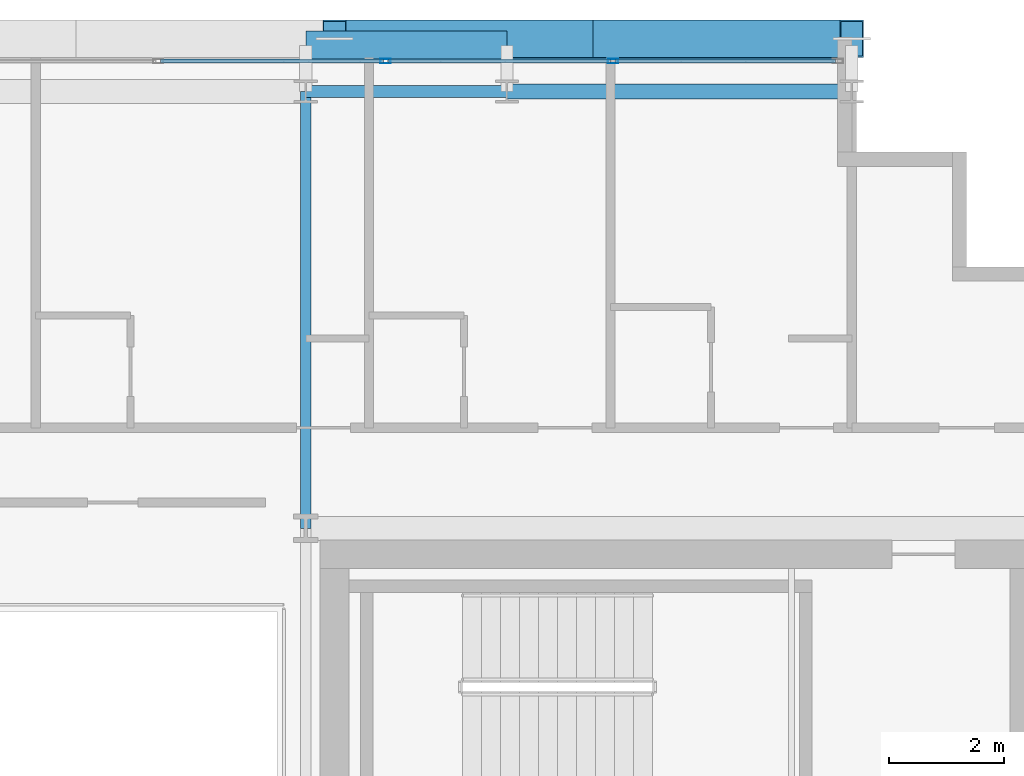
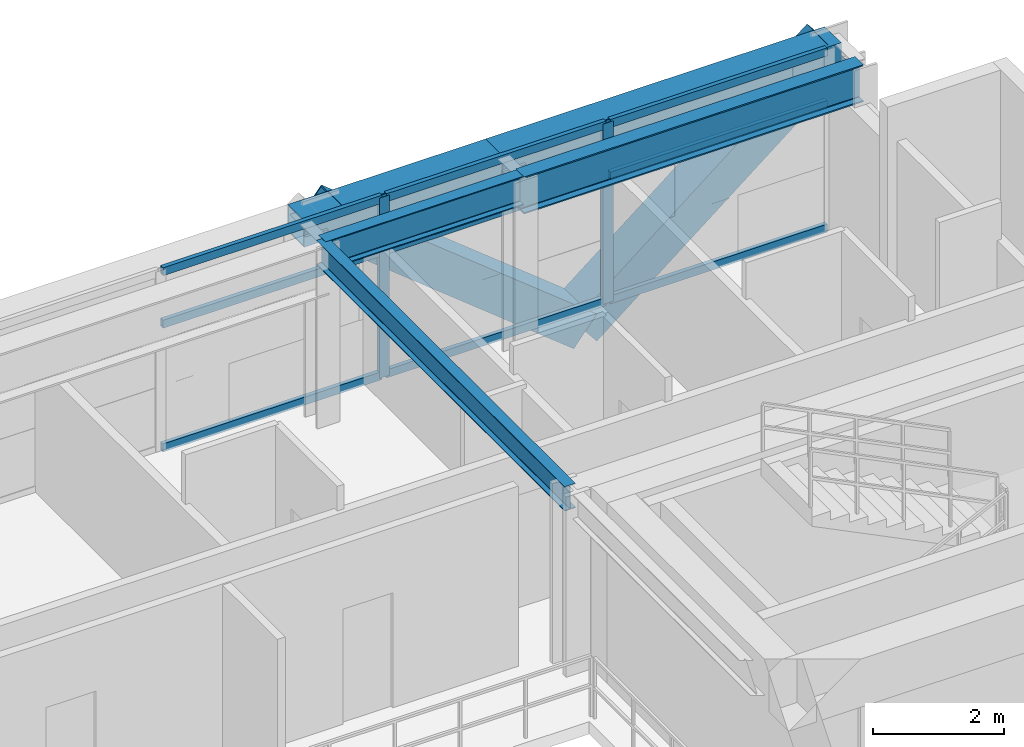
# One storey, part 18 of 32: 13 members, 5 beams, 1 element without a shape of its own.
"""IFC4 building model written with IfcOpenShell, lengths in metres."""

from ifc_helpers import new_model, si_unit, direction, frame, origin, origin_2d, place, context, subcontext, project, spatial, hollow_rectangle, i_section, extrude, source, transform, mapped, material, layer, layer_set, material_profile, profile_set, type_object, element, aggregate, save


model = new_model("IFC4")

# Units and contexts
model_context = context("Model", 3, precision=1e-05, world=origin(), true_north=direction((0.0, 1.0)))
body_context = subcontext(model_context, "Body", "Model", "MODEL_VIEW")
ifc_project = project(units=[si_unit("LENGTHUNIT", "METRE"), si_unit("AREAUNIT", "SQUARE_METRE"), si_unit("VOLUMEUNIT", "CUBIC_METRE"), si_unit("PLANEANGLEUNIT", "RADIAN"), si_unit("MASSUNIT", "GRAM", prefix="KILO")], contexts=[model_context])

# Site, building, storey
site_placement = place(None, origin())
site = spatial("IfcSite", under=ifc_project, at=site_placement, CompositionType="ELEMENT")
building_placement = place(site_placement, origin())
building = spatial("IfcBuilding", under=site, at=building_placement, Name="Ocotamira Hotel", CompositionType="ELEMENT")
storey_placement = place(building_placement, frame((0.0, 0.0, 184.800048828125)))
storey = spatial("IfcBuildingStorey", under=building, at=storey_placement, Name="L46", CompositionType="ELEMENT", Elevation=184.800048828125)

# Beams
ifc_material_1 = material(Name="Steel ASTM A992 Grade 50", Category="steel")
ifc_material_profile_1 = material_profile(ifc_material_1, i_section(OverallWidth=0.256103515625, OverallDepth=0.693115234375, WebThickness=0.014404296875, FlangeThickness=0.023681640625, FilletRadius=0.01611328125, at=origin_2d()), Name="W27X114")
ifc_profile_set_1 = profile_set([ifc_material_profile_1], Name="Steel ASTM A992 Grade 50")
beam_type_1 = type_object("IfcBeamType", Name="BM-PRIM-W27X114", PredefinedType="BEAM", material=ifc_profile_set_1)
shared_shape_1 = source(origin(), body_context, "Body", "SweptSolid", [
    extrude(i_section(OverallWidth=0.256103515625, OverallDepth=0.693115234375, WebThickness=0.014404296875, FlangeThickness=0.023681640625, FilletRadius=0.01611328125, at=origin_2d()), origin(), (0.0, 0.0, 1.0), 6.0),
])
beam_1_placement = place(storey_placement, frame((44.0, 45.050048828125, 3.0234375), z_axis=(1.0, 0.0, 0.0), x_axis=(0.0, 1.0, 0.0)))
element("IfcBeam", 1, at=beam_1_placement, inside=storey, type_object=beam_type_1, Name="L46 Girder Y45.05 X44-50", PredefinedType="BEAM", context=body_context, shape_type="MappedRepresentation", body=[
    mapped(shared_shape_1, transform((0.0, 0.0, 0.0), scale=1.0)),
])
ifc_material_profile_2 = material_profile(ifc_material_1, i_section(OverallWidth=0.2099609375, OverallDepth=0.537109375, WebThickness=0.010986328125, FlangeThickness=0.017333984375, FilletRadius=0.012939453125, at=origin_2d()), Name="W21X68")
ifc_profile_set_2 = profile_set([ifc_material_profile_2], Name="Steel ASTM A992 Grade 50")
beam_type_2 = type_object("IfcBeamType", Name="BM-SEC-W21X68", PredefinedType="JOIST", material=ifc_profile_set_2)
shared_shape_2 = source(origin(), body_context, "Body", "SweptSolid", [
    extrude(i_section(OverallWidth=0.2099609375, OverallDepth=0.537109375, WebThickness=0.010986328125, FlangeThickness=0.017333984375, FilletRadius=0.012939453125, at=origin_2d()), origin(), (0.0, 0.0, 1.0), 3.5),
])
beam_2_placement = place(storey_placement, frame((40.5, 45.050048828125, 3.1015625), z_axis=(1.0, 0.0, 0.0), x_axis=(0.0, 1.0, 0.0)))
element("IfcBeam", 2, at=beam_2_placement, inside=storey, type_object=beam_type_2, Name="L46 Girder Y45.05 X40.5-44", PredefinedType="JOIST", context=body_context, shape_type="MappedRepresentation", body=[
    mapped(shared_shape_2, transform((0.0, 0.0, 0.0), scale=1.0)),
])
ifc_material_2 = material(Name="Steel ASTM A500 Grade C", Category="steel")
ifc_material_profile_3 = material_profile(ifc_material_2, hollow_rectangle(XDim=0.5, YDim=0.5, WallThickness=0.02001953125, at=origin_2d()), Name="HSS500X500X20")
ifc_profile_set_3 = profile_set([ifc_material_profile_3], Name="Steel ASTM A500 Grade C")
beam_type_3 = type_object("IfcBeamType", Name="BM-SPAN-HSS500", PredefinedType="USERDEFINED", material=ifc_profile_set_3)
shared_shape_3 = source(origin(), body_context, "Body", "SweptSolid", [
    extrude(hollow_rectangle(XDim=0.5, YDim=0.5, WallThickness=0.02001953125, at=origin_2d()), origin(), (0.0, 0.0, 1.0), 6.0),
])
beam_3_placement = place(storey_placement, frame((44.0, 45.85009765625, 3.119873046875), z_axis=(1.0, 0.0, 0.0), x_axis=(0.0, 1.0, 0.0)))
element("IfcBeam", 3, at=beam_3_placement, inside=storey, type_object=beam_type_3, Name="L46 Edge Spandrel N X44-50", ObjectType="SPANDREL", PredefinedType="USERDEFINED", context=body_context, shape_type="MappedRepresentation", body=[
    mapped(shared_shape_3, transform((0.0, 0.0, 0.0), scale=1.0)),
])
shared_shape_4 = source(origin(), body_context, "Body", "SweptSolid", [
    extrude(hollow_rectangle(XDim=0.5, YDim=0.5, WallThickness=0.02001953125, at=origin_2d()), origin(), (0.0, 0.0, 1.0), 3.5),
])
beam_4_placement = place(storey_placement, frame((40.5, 45.85009765625, 3.119873046875), z_axis=(1.0, 0.0, 0.0), x_axis=(0.0, 1.0, 0.0)))
element("IfcBeam", 4, at=beam_4_placement, inside=storey, type_object=beam_type_3, Name="L46 Edge Spandrel N X40.5-44", ObjectType="SPANDREL", PredefinedType="USERDEFINED", context=body_context, shape_type="MappedRepresentation", body=[
    mapped(shared_shape_4, transform((0.0, 0.0, 0.0), scale=1.0)),
])
ifc_material_profile_4 = material_profile(ifc_material_1, i_section(OverallWidth=0.18994140625, OverallDepth=0.45703125, WebThickness=0.009033203125, FlangeThickness=0.014404296875, FilletRadius=0.010009765625, at=origin_2d()), Name="W18X50")
ifc_profile_set_4 = profile_set([ifc_material_profile_4], Name="Steel ASTM A992 Grade 50")
beam_type_4 = type_object("IfcBeamType", Name="BM-SEC-W18X50", PredefinedType="JOIST", material=ifc_profile_set_4)
shared_shape_5 = source(origin(), body_context, "Body", "SweptSolid", [
    extrude(i_section(OverallWidth=0.18994140625, OverallDepth=0.45703125, WebThickness=0.009033203125, FlangeThickness=0.014404296875, FilletRadius=0.010009765625, at=origin_2d()), origin(), (0.0, 0.0, 1.0), 7.60009765625),
])
beam_5_placement = place(storey_placement, frame((40.5, 37.449951171875, 3.141357421875), z_axis=(0.0, 1.0, 0.0), x_axis=(-1.0, 0.0, 0.0)))
element("IfcBeam", 5, at=beam_5_placement, inside=storey, type_object=beam_type_4, Name="L46 Beam X40.5 Y37.45-45.05", PredefinedType="JOIST", context=body_context, shape_type="MappedRepresentation", body=[
    mapped(shared_shape_5, transform((0.0, 0.0, 0.0), scale=1.0)),
])

# Members
ifc_material_3 = material(Name="Pale-metal coated steel ASTM A913 Grade 65", Category="steel")
ifc_material_profile_5 = material_profile(ifc_material_3, hollow_rectangle(XDim=0.64990234375, YDim=0.64990234375, WallThickness=0.02197265625, at=origin_2d()), Name="BOX650X650X22")
ifc_profile_set_5 = profile_set([ifc_material_profile_5], Name="Pale-metal coated steel ASTM A913 Grade 65")
member_type_1 = type_object("IfcMemberType", Name="MEM-EXO-BOX650", PredefinedType="BRACE", material=ifc_profile_set_5)
shared_shape_6 = source(origin(), body_context, "Body", "SweptSolid", [
    extrude(hollow_rectangle(XDim=0.64990234375, YDim=0.64990234375, WallThickness=0.02197265625, at=origin_2d()), origin(), (0.0, 0.0, 1.0), 5.7626953125),
])
for number, where, z_axis, x_axis, name in (
    (6, (45.5, 45.969970703125, -0.47998046875), (-0.780881208953, 0.0, 0.624679547852), (0.0, -1.0, 0.0), "L46 Exoskeleton Diagrid N3.1"),
    (7, (45.5, 45.969970703125, -0.47998046875), (0.780881208953, 0.0, 0.624679547852), (0.0, 1.0, 0.0), "L46 Exoskeleton Diagrid N3.2"),
):
    element("IfcMember", number, at=place(storey_placement, frame(where, z_axis=z_axis, x_axis=x_axis)), inside=storey, type_object=member_type_1, Name=name, PredefinedType="BRACE", context=body_context, shape_type="MappedRepresentation", body=[
        mapped(shared_shape_6, transform((0.0, 0.0, 0.0), scale=1.0)),
    ])

# Curtain wall, members
ifc_material_4 = material(Name="Anodised pale-metal aluminium and solar glass", Category="aluminium")
ifc_layer = layer(ifc_material_4, 0.199951171875)
ifc_layer_set = layer_set([ifc_layer], Name="Anodised pale-metal aluminium and solar glass")
curtain_wall_type = type_object("IfcCurtainWallType", Name="CW-SYS4-Z3", PredefinedType="NOTDEFINED", material=ifc_layer_set)
curtain_wall_placement = place(storey_placement, origin())
curtain_wall = element("IfcCurtainWall", 8, at=curtain_wall_placement, inside=storey, type_object=curtain_wall_type, Name="L46 Curtain Wall CW-4 CW-L46-N", PredefinedType="NOTDEFINED")
ifc_material_5 = material(Name="Anodised pale-metal aluminium 6063-T6", Category="aluminium")
ifc_material_profile_6 = material_profile(ifc_material_5, hollow_rectangle(XDim=0.074951171875, YDim=0.14990234375, WallThickness=0.006103515625, at=origin_2d()), Name="HSS150X75X6")
ifc_profile_set_6 = profile_set([ifc_material_profile_6], Name="Anodised pale-metal aluminium 6063-T6")
member_type_2 = type_object("IfcMemberType", Name="CWT-150X75", PredefinedType="USERDEFINED", material=ifc_profile_set_6)
shared_shape_7 = source(origin(), body_context, "Body", "SweptSolid", [
    extrude(hollow_rectangle(XDim=0.074951171875, YDim=0.14990234375, WallThickness=0.006103515625, at=origin_2d()), origin(), (0.0, 0.0, 1.0), 3.83544921875),
])
member_1_placement = place(storey_placement, frame((45.884521484375, 45.580078125, 0.037353515625), z_axis=(1.0, 0.0, 0.0), x_axis=(0.0, 1.0, 0.0)))
member_1 = element("IfcMember", 9, at=member_1_placement, type_object=member_type_2, Name="CW-4 transom 9.1", ObjectType="TRANSOM", PredefinedType="USERDEFINED", context=body_context, shape_type="MappedRepresentation", body=[
    mapped(shared_shape_7, transform((0.0, 0.0, 0.0), scale=1.0)),
])
member_2_placement = place(storey_placement, frame((45.884521484375, 45.580078125, 2.349853515625), z_axis=(1.0, 0.0, 0.0), x_axis=(0.0, 1.0, 0.0)))
member_2 = element("IfcMember", 10, at=member_2_placement, type_object=member_type_2, Name="CW-4 transom 9.2", ObjectType="TRANSOM", PredefinedType="USERDEFINED", context=body_context, shape_type="MappedRepresentation", body=[
    mapped(shared_shape_7, transform((0.0, 0.0, 0.0), scale=1.0)),
])
member_3_placement = place(storey_placement, frame((45.884521484375, 45.580078125, 3.33251953125), z_axis=(1.0, 0.0, 0.0), x_axis=(0.0, 1.0, 0.0)))
member_3 = element("IfcMember", 11, at=member_3_placement, type_object=member_type_2, Name="CW-4 transom 9.3", ObjectType="TRANSOM", PredefinedType="USERDEFINED", context=body_context, shape_type="MappedRepresentation", body=[
    mapped(shared_shape_7, transform((0.0, 0.0, 0.0), scale=1.0)),
])
shared_shape_8 = source(origin(), body_context, "Body", "SweptSolid", [
    extrude(hollow_rectangle(XDim=0.074951171875, YDim=0.14990234375, WallThickness=0.006103515625, at=origin_2d()), origin(), (0.0, 0.0, 1.0), 3.87548828125),
])
member_4_placement = place(storey_placement, frame((37.973388671875, 45.580078125, 0.037353515625), z_axis=(1.0, 0.0, 0.0), x_axis=(0.0, 1.0, 0.0)))
member_4 = element("IfcMember", 12, at=member_4_placement, type_object=member_type_2, Name="CW-4 transom 7.1", ObjectType="TRANSOM", PredefinedType="USERDEFINED", context=body_context, shape_type="MappedRepresentation", body=[
    mapped(shared_shape_8, transform((0.0, 0.0, 0.0), scale=1.0)),
])
member_5_placement = place(storey_placement, frame((37.973388671875, 45.580078125, 2.349853515625), z_axis=(1.0, 0.0, 0.0), x_axis=(0.0, 1.0, 0.0)))
member_5 = element("IfcMember", 13, at=member_5_placement, type_object=member_type_2, Name="CW-4 transom 7.2", ObjectType="TRANSOM", PredefinedType="USERDEFINED", context=body_context, shape_type="MappedRepresentation", body=[
    mapped(shared_shape_8, transform((0.0, 0.0, 0.0), scale=1.0)),
])
member_6_placement = place(storey_placement, frame((37.973388671875, 45.580078125, 3.33251953125), z_axis=(1.0, 0.0, 0.0), x_axis=(0.0, 1.0, 0.0)))
member_6 = element("IfcMember", 14, at=member_6_placement, type_object=member_type_2, Name="CW-4 transom 7.3", ObjectType="TRANSOM", PredefinedType="USERDEFINED", context=body_context, shape_type="MappedRepresentation", body=[
    mapped(shared_shape_8, transform((0.0, 0.0, 0.0), scale=1.0)),
])
member_7_placement = place(storey_placement, frame((41.928955078125, 45.580078125, 0.037353515625), z_axis=(1.0, 0.0, 0.0), x_axis=(0.0, 1.0, 0.0)))
member_7 = element("IfcMember", 15, at=member_7_placement, type_object=member_type_2, Name="CW-4 transom 8.1", ObjectType="TRANSOM", PredefinedType="USERDEFINED", context=body_context, shape_type="MappedRepresentation", body=[
    mapped(shared_shape_8, transform((0.0, 0.0, 0.0), scale=1.0)),
])
member_8_placement = place(storey_placement, frame((41.928955078125, 45.580078125, 2.349853515625), z_axis=(1.0, 0.0, 0.0), x_axis=(0.0, 1.0, 0.0)))
member_8 = element("IfcMember", 16, at=member_8_placement, type_object=member_type_2, Name="CW-4 transom 8.2", ObjectType="TRANSOM", PredefinedType="USERDEFINED", context=body_context, shape_type="MappedRepresentation", body=[
    mapped(shared_shape_8, transform((0.0, 0.0, 0.0), scale=1.0)),
])
member_9_placement = place(storey_placement, frame((41.928955078125, 45.580078125, 3.33251953125), z_axis=(1.0, 0.0, 0.0), x_axis=(0.0, 1.0, 0.0)))
member_9 = element("IfcMember", 17, at=member_9_placement, type_object=member_type_2, Name="CW-4 transom 8.3", ObjectType="TRANSOM", PredefinedType="USERDEFINED", context=body_context, shape_type="MappedRepresentation", body=[
    mapped(shared_shape_8, transform((0.0, 0.0, 0.0), scale=1.0)),
])
ifc_material_profile_7 = material_profile(ifc_material_5, hollow_rectangle(XDim=0.080078125, YDim=0.179931640625, WallThickness=0.006103515625, at=origin_2d()), Name="HSS180X80X6")
ifc_profile_set_7 = profile_set([ifc_material_profile_7], Name="Anodised pale-metal aluminium 6063-T6")
member_type_3 = type_object("IfcMemberType", Name="CWM-180X75", PredefinedType="MULLION", material=ifc_profile_set_7)
shared_shape_9 = source(origin(), body_context, "Body", "SweptSolid", [
    extrude(hollow_rectangle(XDim=0.080078125, YDim=0.179931640625, WallThickness=0.006103515625, at=origin_2d()), origin(), (0.0, 0.0, 1.0), 3.369873046875),
])
member_10_placement = place(storey_placement, frame((41.888916015625, 45.580078125, 0.0), z_axis=(0.0, 0.0, 1.0), x_axis=(0.0, 1.0, 0.0)))
member_10 = element("IfcMember", 18, at=member_10_placement, type_object=member_type_3, Name="CW-4 mullion 8", PredefinedType="MULLION", context=body_context, shape_type="MappedRepresentation", body=[
    mapped(shared_shape_9, transform((0.0, 0.0, 0.0), scale=1.0)),
])
member_11_placement = place(storey_placement, frame((45.844482421875, 45.580078125, 0.0), z_axis=(0.0, 0.0, 1.0), x_axis=(0.0, 1.0, 0.0)))
member_11 = element("IfcMember", 19, at=member_11_placement, type_object=member_type_3, Name="CW-4 mullion 9", PredefinedType="MULLION", context=body_context, shape_type="MappedRepresentation", body=[
    mapped(shared_shape_9, transform((0.0, 0.0, 0.0), scale=1.0)),
])
aggregate(curtain_wall, [member_10, member_11, member_4, member_5, member_6, member_7, member_8, member_9, member_1, member_2, member_3])

save(model, "model.ifc")
